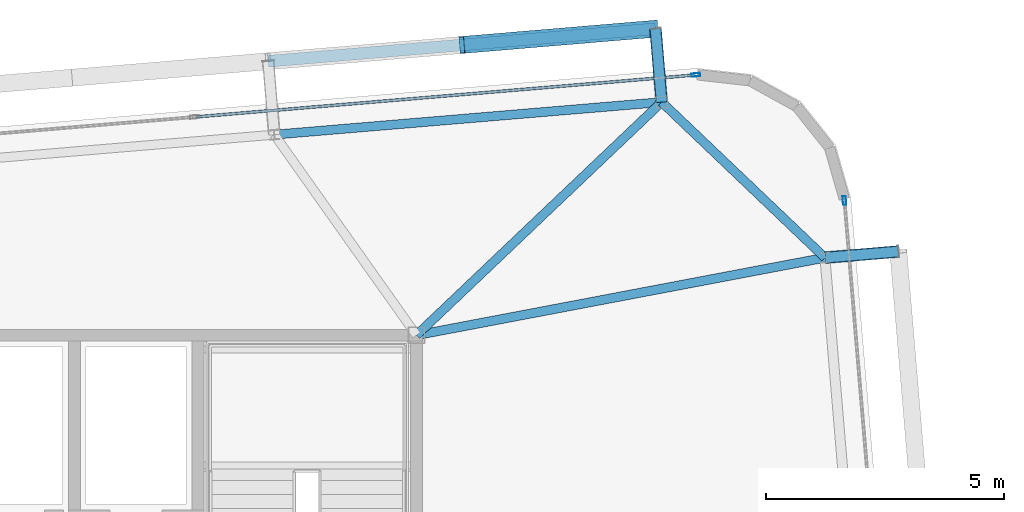
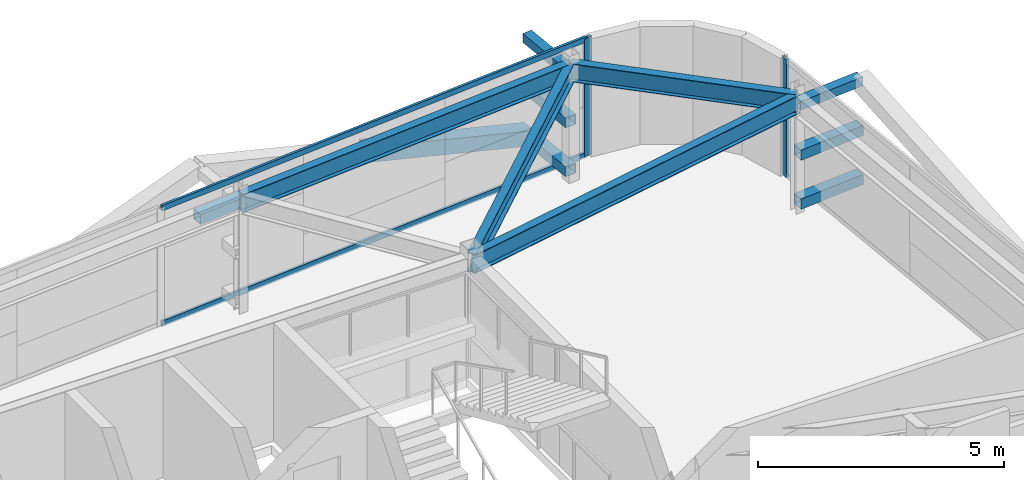
# One storey, part 25 of 39: 12 members, 4 beams, 2 elements without a shape of their own.
"""IFC4 building model written with IfcOpenShell, lengths in metres."""

from ifc_helpers import new_model, si_unit, direction, frame, origin, origin_2d, place, context, subcontext, project, spatial, hollow_rectangle, i_section, extrude, source, transform, mapped, material, layer, layer_set, material_profile, profile_set, type_object, element, aggregate, save


model = new_model("IFC4")

# Units and contexts
model_context = context("Model", 3, precision=1e-05, world=origin(), true_north=direction((0.0, 1.0)))
body_context = subcontext(model_context, "Body", "Model", "MODEL_VIEW")
ifc_project = project(units=[si_unit("LENGTHUNIT", "METRE"), si_unit("AREAUNIT", "SQUARE_METRE"), si_unit("VOLUMEUNIT", "CUBIC_METRE"), si_unit("PLANEANGLEUNIT", "RADIAN"), si_unit("MASSUNIT", "GRAM", prefix="KILO")], contexts=[model_context])

# Site, building, storey
site_placement = place(None, origin())
site = spatial("IfcSite", under=ifc_project, at=site_placement, CompositionType="ELEMENT")
building_placement = place(site_placement, origin())
building = spatial("IfcBuilding", under=site, at=building_placement, Name="Taldren Reach Tower", CompositionType="ELEMENT")
storey_placement = place(building_placement, frame((0.0, 0.0, 175.699951171875)))
storey = spatial("IfcBuildingStorey", under=building, at=storey_placement, Name="L53", CompositionType="ELEMENT", Elevation=175.699951171875)

# Members
ifc_material_1 = material(Name="Steel Gr 350 (C350L0)", Category="steel")
ifc_material_profile_1 = material_profile(ifc_material_1, hollow_rectangle(XDim=0.25, YDim=0.25, WallThickness=0.010009765625, at=origin_2d()), Name="250x250x10.0SHS")
ifc_profile_set_1 = profile_set([ifc_material_profile_1], Name="Steel Gr 350 (C350L0)")
member_type_1 = type_object("IfcMemberType", Name="MB-POST250", PredefinedType="POST", material=ifc_profile_set_1)
shared_shape_1 = source(origin(), body_context, "Body", "SweptSolid", [
    extrude(hollow_rectangle(XDim=0.25, YDim=0.25, WallThickness=0.010009765625, at=origin_2d()), origin(), (0.0, 0.0, 1.0), 1.5498046875),
])
for number, where, z_axis, x_axis, name in (
    (1, (56.160400390625, 36.906005859375, 0.219970703125), (-0.083645141657, 0.996495604746, 0.0), (-0.996495604746, -0.083645141657, 0.0), "Exoskeleton base diaphragm tie strut B4-N6 L53"),
    (2, (56.160400390625, 36.906005859375, 1.43505859375), (-0.083645141657, 0.996495604746, 0.0), (-0.996495604746, -0.083645141657, 0.0), "Exoskeleton mid-tier diaphragm tie B4-N6 L53"),
):
    element("IfcMember", number, at=place(storey_placement, frame(where, z_axis=z_axis, x_axis=x_axis)), inside=storey, type_object=member_type_1, Name=name, PredefinedType="POST", context=body_context, shape_type="MappedRepresentation", body=[
        mapped(shared_shape_1, transform((0.0, 0.0, 0.0), scale=1.0)),
    ])

# Beams
ifc_material_2 = material(Name="Steel Gr 350 (350PLUS)", Category="steel")
ifc_material_profile_2 = material_profile(ifc_material_2, i_section(OverallWidth=0.18994140625, OverallDepth=0.4541015625, WebThickness=0.008544921875, FlangeThickness=0.0126953125, at=origin_2d()), Name="460UB67.1")
ifc_profile_set_2 = profile_set([ifc_material_profile_2], Name="Steel Gr 350 (350PLUS)")
beam_type_1 = type_object("IfcBeamType", Name="SP-UB460B", PredefinedType="SPANDREL", material=ifc_profile_set_2)
shared_shape_2 = source(origin(), body_context, "Body", "SweptSolid", [
    extrude(i_section(OverallWidth=0.18994140625, OverallDepth=0.4541015625, WebThickness=0.008544921875, FlangeThickness=0.0126953125, at=origin_2d()), origin(), (0.0, 0.0, 1.0), 8.18017578125),
])
beam_1_placement = place(storey_placement, frame((56.160400390625, 36.906005859375, 2.703125), z_axis=(-0.996492034688, -0.083687662192, 0.0), x_axis=(0.083687662192, -0.996492034688, 0.0)))
element("IfcBeam", 3, at=beam_1_placement, inside=storey, type_object=beam_type_1, Name="Perimeter spandrel B4 N6-N5 L53", PredefinedType="SPANDREL", context=body_context, shape_type="MappedRepresentation", body=[
    mapped(shared_shape_2, transform((0.0, 0.0, 0.0), scale=1.0)),
])
shared_shape_3 = source(origin(), body_context, "Body", "SweptSolid", [
    extrude(i_section(OverallWidth=0.18994140625, OverallDepth=0.4541015625, WebThickness=0.008544921875, FlangeThickness=0.0126953125, at=origin_2d()), origin(), (0.0, 0.0, 1.0), 4.74609375),
])
beam_2_placement = place(storey_placement, frame((59.596435546875, 33.632080078125, 2.703125), z_axis=(-0.723978879349, 0.689822138132, 0.0), x_axis=(-0.689822138132, -0.723978879349, 0.0)))
element("IfcBeam", 4, at=beam_2_placement, inside=storey, type_object=beam_type_1, Name="Perimeter spandrel B4 E3-N6 L53", PredefinedType="SPANDREL", context=body_context, shape_type="MappedRepresentation", body=[
    mapped(shared_shape_3, transform((0.0, 0.0, 0.0), scale=1.0)),
])
ifc_material_profile_3 = material_profile(ifc_material_2, i_section(OverallWidth=0.19091796875, OverallDepth=0.4599609375, WebThickness=0.010009765625, FlangeThickness=0.01611328125, at=origin_2d()), Name="460UB82.1")
ifc_profile_set_3 = profile_set([ifc_material_profile_3], Name="Steel Gr 350 (350PLUS)")
beam_type_2 = type_object("IfcBeamType", Name="BM-UB460A", PredefinedType="BEAM", material=ifc_profile_set_3)
shared_shape_4 = source(origin(), body_context, "Body", "SweptSolid", [
    extrude(i_section(OverallWidth=0.19091796875, OverallDepth=0.4599609375, WebThickness=0.010009765625, FlangeThickness=0.01611328125, at=origin_2d()), origin(), (0.0, 0.0, 1.0), 8.75),
])
beam_3_placement = place(storey_placement, frame((51.0, 32.0, 2.699951171875), z_axis=(0.982450485799, 0.18652357211, 0.0), x_axis=(-0.18652357211, 0.982450485799, 0.0)))
element("IfcBeam", 5, at=beam_3_placement, inside=storey, type_object=beam_type_2, Name="Primary floor girder B4-E3 L53", PredefinedType="BEAM", context=body_context, shape_type="MappedRepresentation", body=[
    mapped(shared_shape_4, transform((0.0, 0.0, 0.0), scale=1.0)),
])
shared_shape_5 = source(origin(), body_context, "Body", "SweptSolid", [
    extrude(i_section(OverallWidth=0.19091796875, OverallDepth=0.4599609375, WebThickness=0.010009765625, FlangeThickness=0.01611328125, at=origin_2d()), origin(), (0.0, 0.0, 1.0), 7.120361328125),
])
beam_4_placement = place(storey_placement, frame((51.0, 32.0, 2.699951171875), z_axis=(0.724745130454, 0.689017050503, 0.0), x_axis=(-0.689017050503, 0.724745130454, 0.0)))
element("IfcBeam", 6, at=beam_4_placement, inside=storey, type_object=beam_type_2, Name="Primary floor girder B4-N6 L53", PredefinedType="BEAM", context=body_context, shape_type="MappedRepresentation", body=[
    mapped(shared_shape_5, transform((0.0, 0.0, 0.0), scale=1.0)),
])

# Members
ifc_material_3 = material(Name="Steel Gr 450 (C450L0)", Category="steel")
ifc_material_profile_4 = material_profile(ifc_material_3, hollow_rectangle(XDim=0.219970703125, YDim=0.219970703125, WallThickness=0.00830078125, at=origin_2d()), Name="220x220x8.2SHS")
ifc_profile_set_4 = profile_set([ifc_material_profile_4], Name="Steel Gr 450 (C450L0)")
member_type_2 = type_object("IfcMemberType", Name="MB-TIE219", PredefinedType="STRUT", material=ifc_profile_set_4)
shared_shape_6 = source(origin(), body_context, "Body", "SweptSolid", [
    extrude(hollow_rectangle(XDim=0.219970703125, YDim=0.219970703125, WallThickness=0.00830078125, at=origin_2d()), origin(), (0.0, 0.0, 1.0), 1.5498046875),
])
member_1_placement = place(storey_placement, frame((56.160400390625, 36.906005859375, 2.650146484375), z_axis=(-0.083645141657, 0.996495604746, 0.0), x_axis=(-0.996495604746, -0.083645141657, 0.0)))
element("IfcMember", 7, at=member_1_placement, inside=storey, type_object=member_type_2, Name="Exoskeleton diaphragm tie strut B4-N6 L53", PredefinedType="STRUT", context=body_context, shape_type="MappedRepresentation", body=[
    mapped(shared_shape_6, transform((0.0, 0.0, 0.0), scale=1.0)),
])
shared_shape_7 = source(origin(), body_context, "Body", "SweptSolid", [
    extrude(hollow_rectangle(XDim=0.219970703125, YDim=0.219970703125, WallThickness=0.00830078125, at=origin_2d()), origin(), (0.0, 0.0, 1.0), 1.545166015625),
])
member_2_placement = place(storey_placement, frame((59.60107421875, 33.63232421875, 2.650146484375), z_axis=(0.996487766615, 0.083738467783, 0.0), x_axis=(-0.083738467783, 0.996487766615, 0.0)))
element("IfcMember", 8, at=member_2_placement, inside=storey, type_object=member_type_2, Name="Exoskeleton diaphragm tie strut B4-E3 L53", PredefinedType="STRUT", context=body_context, shape_type="MappedRepresentation", body=[
    mapped(shared_shape_7, transform((0.0, 0.0, 0.0), scale=1.0)),
])
shared_shape_8 = source(origin(), body_context, "Body", "SweptSolid", [
    extrude(hollow_rectangle(XDim=0.25, YDim=0.25, WallThickness=0.010009765625, at=origin_2d()), origin(), (0.0, 0.0, 1.0), 8.179931640625),
])
member_3_placement = place(storey_placement, frame((47.87939453125, 37.76611328125, 1.43505859375), z_axis=(0.996494523218, 0.083658025296, 0.0), x_axis=(-0.083658025296, 0.996494523218, 0.0)))
element("IfcMember", 9, at=member_3_placement, inside=storey, type_object=member_type_1, Name="Exoskeleton mid-height ring chord B4-N5 L53", PredefinedType="POST", context=body_context, shape_type="MappedRepresentation", body=[
    mapped(shared_shape_8, transform((0.0, 0.0, 0.0), scale=1.0)),
])
shared_shape_9 = source(origin(), body_context, "Body", "SweptSolid", [
    extrude(hollow_rectangle(XDim=0.25, YDim=0.25, WallThickness=0.010009765625, at=origin_2d()), origin(), (0.0, 0.0, 1.0), 1.545166015625),
])
for number, where, z_axis, x_axis, name in (
    (10, (59.60107421875, 33.63232421875, 0.219970703125), (0.996487766615, 0.083738467783, 0.0), (-0.083738467783, 0.996487766615, 0.0), "Exoskeleton base diaphragm tie strut B4-E3 L53"),
    (11, (59.60107421875, 33.63232421875, 1.43505859375), (0.996487766615, 0.083738467783, 0.0), (-0.083738467783, 0.996487766615, 0.0), "Exoskeleton mid-tier diaphragm tie B4-E3 L53"),
):
    element("IfcMember", number, at=place(storey_placement, frame(where, z_axis=z_axis, x_axis=x_axis)), inside=storey, type_object=member_type_1, Name=name, PredefinedType="POST", context=body_context, shape_type="MappedRepresentation", body=[
        mapped(shared_shape_9, transform((0.0, 0.0, 0.0), scale=1.0)),
    ])
ifc_material_profile_5 = material_profile(ifc_material_3, hollow_rectangle(XDim=0.360107421875, YDim=0.360107421875, WallThickness=0.0126953125, at=origin_2d()), Name="360x360x12.7SHS")
ifc_profile_set_5 = profile_set([ifc_material_profile_5], Name="Steel Gr 450 (C450L0)")
member_type_3 = type_object("IfcMemberType", Name="MB-EXO356", PredefinedType="BRACE", material=ifc_profile_set_5)
shared_shape_10 = source(origin(), body_context, "Body", "SweptSolid", [
    extrude(hollow_rectangle(XDim=0.360107421875, YDim=0.360107421875, WallThickness=0.0126953125, at=origin_2d()), origin(), (0.0, 0.0, 1.0), 4.2666015625),
])
member_4_placement = place(storey_placement, frame((56.03076171875, 38.450439453125, 0.219970703125), z_axis=(-0.955233542365, -0.080165460216, 0.28478479336), x_axis=(0.083628388178, -0.996497010879, 0.0)))
element("IfcMember", 12, at=member_4_placement, inside=storey, type_object=member_type_3, Name="Exoskeleton Diagrid Brace B4-N5 L53", PredefinedType="BRACE", context=body_context, shape_type="MappedRepresentation", body=[
    mapped(shared_shape_10, transform((0.0, 0.0, 0.0), scale=1.0)),
])

# Curtain wall, member
ifc_material_4 = material(Name="Aluminium and Low-E Glass Unitised System", Category="aluminium")
ifc_layer = layer(ifc_material_4, 0.159912109375)
ifc_layer_set = layer_set([ifc_layer], Name="Aluminium and Low-E Glass Unitised System")
curtain_wall_type = type_object("IfcCurtainWallType", Name="CW-SYS-5", PredefinedType="NOTDEFINED", material=ifc_layer_set)
curtain_wall_1_placement = place(storey_placement, origin())
curtain_wall_1 = element("IfcCurtainWall", 13, at=curtain_wall_1_placement, inside=storey, type_object=curtain_wall_type, Name="Unitised curtain wall CW-L53-N", PredefinedType="NOTDEFINED")
ifc_material_5 = material(Name="Anodised Aluminium 6063-T6", Category="aluminium")
ifc_material_profile_6 = material_profile(ifc_material_5, hollow_rectangle(XDim=0.070068359375, YDim=0.179931640625, WallThickness=0.00390625, at=origin_2d()), Name="ALU-180x70x4RHS")
ifc_profile_set_6 = profile_set([ifc_material_profile_6], Name="Anodised Aluminium 6063-T6")
member_type_4 = type_object("IfcMemberType", Name="CW-MUL-180", PredefinedType="MULLION", material=ifc_profile_set_6)
shared_shape_11 = source(origin(), body_context, "Body", "SweptSolid", [
    extrude(hollow_rectangle(XDim=0.070068359375, YDim=0.179931640625, WallThickness=0.00390625, at=origin_2d()), origin(), (0.0, 0.0, 1.0), 2.929931640625),
])
member_5_placement = place(storey_placement, frame((56.8798828125, 37.478271484375, 0.0), z_axis=(0.0, 0.0, 1.0), x_axis=(0.083677875247, -0.99649285657, 0.0)))
member_5 = element("IfcMember", 14, at=member_5_placement, type_object=member_type_4, Name="CW-5 mullion 1", PredefinedType="MULLION", context=body_context, shape_type="MappedRepresentation", body=[
    mapped(shared_shape_11, transform((0.0, 0.0, 0.0), scale=1.0)),
])

curtain_wall_2_placement = place(storey_placement, origin())
curtain_wall_2 = element("IfcCurtainWall", 15, at=curtain_wall_2_placement, inside=storey, type_object=curtain_wall_type, Name="Unitised curtain wall CW-L53-E", PredefinedType="NOTDEFINED")
member_6_placement = place(storey_placement, frame((60.007080078125, 34.835693359375, 0.0), z_axis=(0.0, 0.0, 1.0), x_axis=(-0.996492847789, -0.083677979808, 0.0)))
member_6 = element("IfcMember", 16, at=member_6_placement, type_object=member_type_4, Name="CW-5 mullion 3", PredefinedType="MULLION", context=body_context, shape_type="MappedRepresentation", body=[
    mapped(shared_shape_11, transform((0.0, 0.0, 0.0), scale=1.0)),
])
aggregate(curtain_wall_2, [member_6])

# Member
ifc_material_profile_7 = material_profile(ifc_material_5, hollow_rectangle(XDim=0.06005859375, YDim=0.135009765625, WallThickness=0.00341796875, at=origin_2d()), Name="ALU-135x60x3.5RHS")
ifc_profile_set_7 = profile_set([ifc_material_profile_7], Name="Anodised Aluminium 6063-T6")
member_type_5 = type_object("IfcMemberType", Name="CW-TRN-150", PredefinedType="USERDEFINED", material=ifc_profile_set_7)
shared_shape_12 = source(origin(), body_context, "Body", "SweptSolid", [
    extrude(hollow_rectangle(XDim=0.06005859375, YDim=0.135009765625, WallThickness=0.00341796875, at=origin_2d()), origin(), (0.0, 0.0, 1.0), 10.52001953125),
])
member_7_placement = place(storey_placement, frame((56.84521484375, 37.475341796875, 0.030029296875), z_axis=(-0.996492256575, -0.08368502008, 0.0), x_axis=(0.08368502008, -0.996492256575, 0.0)))
member_7 = element("IfcMember", 17, at=member_7_placement, type_object=member_type_5, Name="CW-5 transom 1.1", ObjectType="TRANSOM", PredefinedType="USERDEFINED", context=body_context, shape_type="MappedRepresentation", body=[
    mapped(shared_shape_12, transform((0.0, 0.0, 0.0), scale=1.0)),
])

member_8_placement = place(storey_placement, frame((56.84521484375, 37.475341796875, 2.900146484375), z_axis=(-0.996492256575, -0.08368502008, 0.0), x_axis=(0.08368502008, -0.996492256575, 0.0)))
member_8 = element("IfcMember", 18, at=member_8_placement, type_object=member_type_5, Name="CW-5 transom 1.2", ObjectType="TRANSOM", PredefinedType="USERDEFINED", context=body_context, shape_type="MappedRepresentation", body=[
    mapped(shared_shape_12, transform((0.0, 0.0, 0.0), scale=1.0)),
])

aggregate(curtain_wall_1, [member_5, member_7, member_8])

save(model, "model.ifc")
